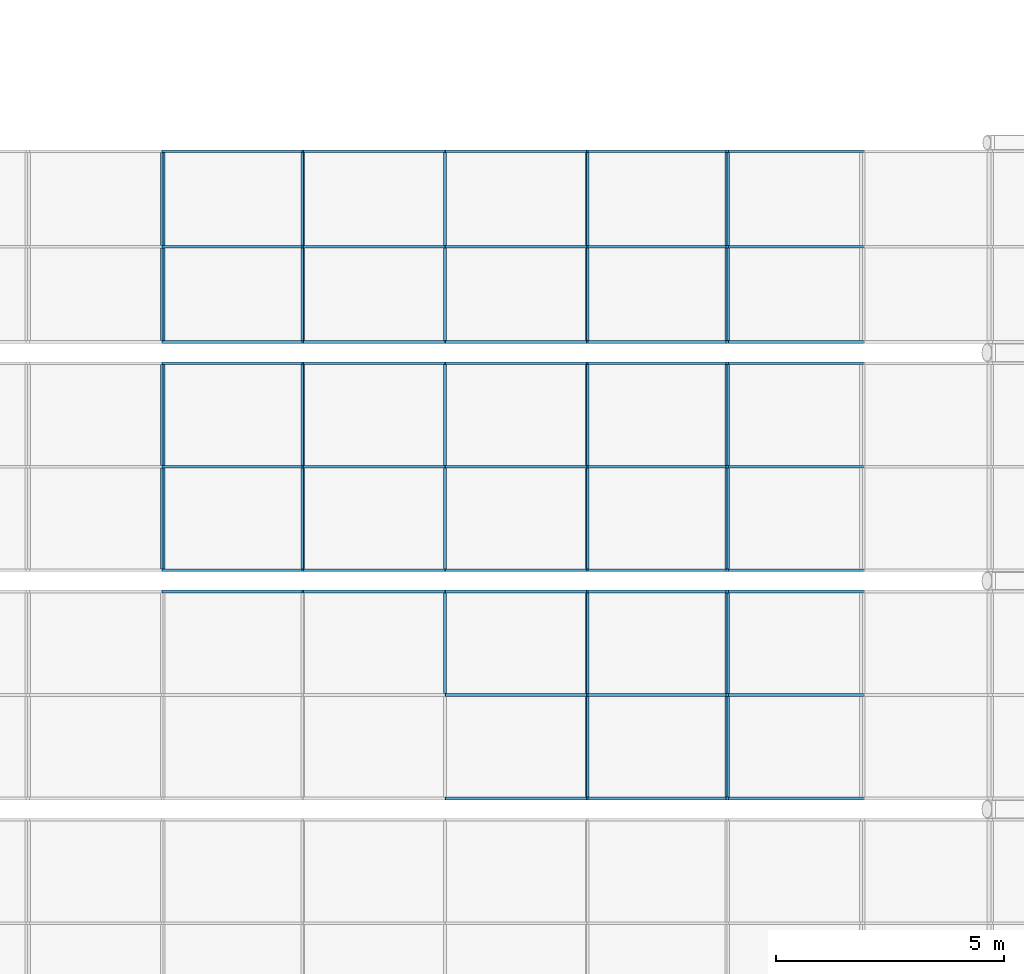
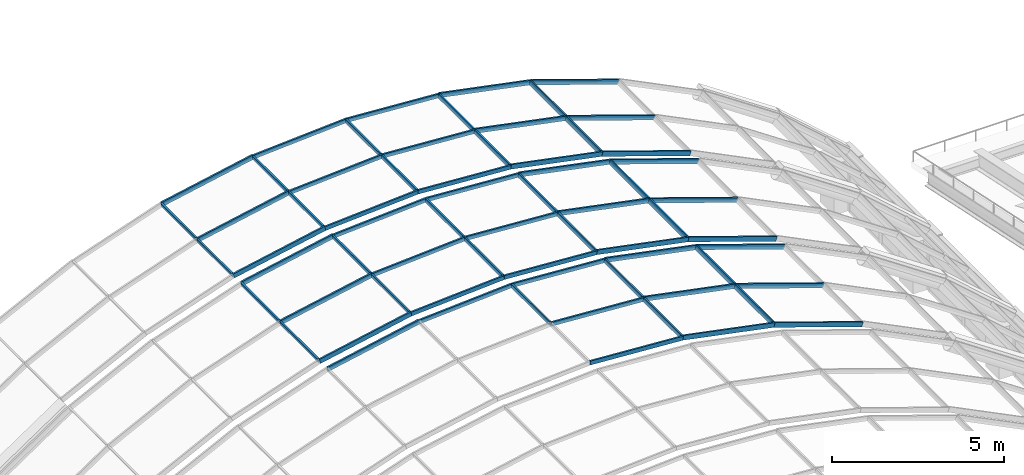
# One storey, part 83 of 182: 66 members, 3 elements without a shape of their own.
"""IFC4 building model written with IfcOpenShell, lengths in metres."""

from ifc_helpers import new_model, si_unit, direction, frame, origin, origin_2d, place, context, subcontext, project, spatial, rectangle, extrude, material, material_profile, profile_set, type_object, element, aggregate, save


model = new_model("IFC4")

# Units and contexts
model_context = context("Model", 3, precision=1e-05, world=origin(), true_north=direction((0.0, 1.0)))
body_context = subcontext(model_context, "Body", "Model", "MODEL_VIEW")
ifc_project = project(units=[si_unit("LENGTHUNIT", "METRE"), si_unit("AREAUNIT", "SQUARE_METRE"), si_unit("VOLUMEUNIT", "CUBIC_METRE"), si_unit("PLANEANGLEUNIT", "RADIAN"), si_unit("MASSUNIT", "GRAM", prefix="KILO")], contexts=[model_context])

# Site, building, storey
site_placement = place(None, origin())
site = spatial("IfcSite", under=ifc_project, at=site_placement, CompositionType="ELEMENT")
building_placement = place(site_placement, origin())
building = spatial("IfcBuilding", under=site, at=building_placement, Name="Okhra Congress Centre", CompositionType="ELEMENT")
storey_placement = place(building_placement, frame((0.0, 0.0, 7.199951171875)))
storey = spatial("IfcBuildingStorey", under=building, at=storey_placement, Name="L01", CompositionType="ELEMENT", Elevation=7.199951171875)

# Curtain wall, members
ifc_material_1 = material(Name="Aluminium frame with triple glazing", Category="aluminium")
curtain_wall_type = type_object("IfcCurtainWallType", Name="Glazed vault bay curtain wall", PredefinedType="NOTDEFINED", material=ifc_material_1)
curtain_wall_1_placement = place(storey_placement, origin())
curtain_wall_1 = element("IfcCurtainWall", 1, at=curtain_wall_1_placement, inside=storey, type_object=curtain_wall_type, Name="Vault glazing bay 26", PredefinedType="NOTDEFINED")
ifc_material_2 = material(Name="Aluminium alloy 6063", Category="aluminium")
ifc_material_profile_1 = material_profile(ifc_material_2, rectangle(XDim=0.06005859375, YDim=0.139892578125, at=origin_2d()), Name="AL 60x140")
ifc_profile_set_1 = profile_set([ifc_material_profile_1], Name="Aluminium alloy 6063")
member_type_1 = type_object("IfcMemberType", Name="Aluminium mullion 60x140", PredefinedType="MULLION", material=ifc_profile_set_1)
member_1_placement = place(storey_placement, frame((172.25, 201.233154296875, 8.945068359375), z_axis=(0.997826129775, 0.0, -0.065901553385), x_axis=(0.0, 1.0, 0.0)))
member_1 = element("IfcMember", 2, at=member_1_placement, type_object=member_type_1, Name="Vault mullion 26.1.7", PredefinedType="MULLION", context=body_context, shape_type="SweptSolid", body=[
    extrude(rectangle(XDim=0.06005859375, YDim=0.139892578125, at=origin_2d()), origin(), (0.0, 0.0, 1.0), 3.123046875),
])
member_2_placement = place(storey_placement, frame((172.25, 203.5, 8.945068359375), z_axis=(0.997826129775, 0.0, -0.065901553385), x_axis=(0.0, 1.0, 0.0)))
member_2 = element("IfcMember", 3, at=member_2_placement, type_object=member_type_1, Name="Vault mullion 26.2.7", PredefinedType="MULLION", context=body_context, shape_type="SweptSolid", body=[
    extrude(rectangle(XDim=0.06005859375, YDim=0.139892578125, at=origin_2d()), origin(), (0.0, 0.0, 1.0), 3.123046875),
])
member_3_placement = place(storey_placement, frame((169.1337890625, 205.766845703125, 8.7392578125), z_axis=(0.997826129775, 0.0, 0.065901553385), x_axis=(0.0, 1.0, 0.0)))
member_3 = element("IfcMember", 4, at=member_3_placement, type_object=member_type_1, Name="Vault mullion 26.3.6", PredefinedType="MULLION", context=body_context, shape_type="SweptSolid", body=[
    extrude(rectangle(XDim=0.06005859375, YDim=0.139892578125, at=origin_2d()), origin(), (0.0, 0.0, 1.0), 3.123046875),
])
member_4_placement = place(storey_placement, frame((172.25, 205.766845703125, 8.945068359375), z_axis=(0.997826129775, 0.0, -0.065901553385), x_axis=(0.0, 1.0, 0.0)))
member_4 = element("IfcMember", 5, at=member_4_placement, type_object=member_type_1, Name="Vault mullion 26.3.7", PredefinedType="MULLION", context=body_context, shape_type="SweptSolid", body=[
    extrude(rectangle(XDim=0.06005859375, YDim=0.139892578125, at=origin_2d()), origin(), (0.0, 0.0, 1.0), 3.123046875),
])

curtain_wall_2_placement = place(storey_placement, origin())
curtain_wall_2 = element("IfcCurtainWall", 6, at=curtain_wall_2_placement, inside=storey, type_object=curtain_wall_type, Name="Vault glazing bay 27", PredefinedType="NOTDEFINED")
member_5_placement = place(storey_placement, frame((169.1337890625, 206.233154296875, 8.7392578125), z_axis=(0.997826129775, 0.0, 0.065901553385), x_axis=(0.0, 1.0, 0.0)))
member_5 = element("IfcMember", 7, at=member_5_placement, type_object=member_type_1, Name="Vault mullion 27.1.6", PredefinedType="MULLION", context=body_context, shape_type="SweptSolid", body=[
    extrude(rectangle(XDim=0.06005859375, YDim=0.139892578125, at=origin_2d()), origin(), (0.0, 0.0, 1.0), 3.123046875),
])
member_6_placement = place(storey_placement, frame((172.25, 206.233154296875, 8.945068359375), z_axis=(0.997826129775, 0.0, -0.065901553385), x_axis=(0.0, 1.0, 0.0)))
member_6 = element("IfcMember", 8, at=member_6_placement, type_object=member_type_1, Name="Vault mullion 27.1.7", PredefinedType="MULLION", context=body_context, shape_type="SweptSolid", body=[
    extrude(rectangle(XDim=0.06005859375, YDim=0.139892578125, at=origin_2d()), origin(), (0.0, 0.0, 1.0), 3.123046875),
])
member_7_placement = place(storey_placement, frame((169.1337890625, 208.5, 8.7392578125), z_axis=(0.997826129775, 0.0, 0.065901553385), x_axis=(0.0, 1.0, 0.0)))
member_7 = element("IfcMember", 9, at=member_7_placement, type_object=member_type_1, Name="Vault mullion 27.2.6", PredefinedType="MULLION", context=body_context, shape_type="SweptSolid", body=[
    extrude(rectangle(XDim=0.06005859375, YDim=0.139892578125, at=origin_2d()), origin(), (0.0, 0.0, 1.0), 3.123046875),
])
member_8_placement = place(storey_placement, frame((172.25, 208.5, 8.945068359375), z_axis=(0.997826129775, 0.0, -0.065901553385), x_axis=(0.0, 1.0, 0.0)))
member_8 = element("IfcMember", 10, at=member_8_placement, type_object=member_type_1, Name="Vault mullion 27.2.7", PredefinedType="MULLION", context=body_context, shape_type="SweptSolid", body=[
    extrude(rectangle(XDim=0.06005859375, YDim=0.139892578125, at=origin_2d()), origin(), (0.0, 0.0, 1.0), 3.123046875),
])
member_9_placement = place(storey_placement, frame((169.1337890625, 210.766845703125, 8.7392578125), z_axis=(0.997826129775, 0.0, 0.065901553385), x_axis=(0.0, 1.0, 0.0)))
member_9 = element("IfcMember", 11, at=member_9_placement, type_object=member_type_1, Name="Vault mullion 27.3.6", PredefinedType="MULLION", context=body_context, shape_type="SweptSolid", body=[
    extrude(rectangle(XDim=0.06005859375, YDim=0.139892578125, at=origin_2d()), origin(), (0.0, 0.0, 1.0), 3.123046875),
])
member_10_placement = place(storey_placement, frame((172.25, 210.766845703125, 8.945068359375), z_axis=(0.997826129775, 0.0, -0.065901553385), x_axis=(0.0, 1.0, 0.0)))
member_10 = element("IfcMember", 12, at=member_10_placement, type_object=member_type_1, Name="Vault mullion 27.3.7", PredefinedType="MULLION", context=body_context, shape_type="SweptSolid", body=[
    extrude(rectangle(XDim=0.06005859375, YDim=0.139892578125, at=origin_2d()), origin(), (0.0, 0.0, 1.0), 3.123046875),
])

curtain_wall_3_placement = place(storey_placement, origin())
curtain_wall_3 = element("IfcCurtainWall", 13, at=curtain_wall_3_placement, inside=storey, type_object=curtain_wall_type, Name="Vault glazing bay 28", PredefinedType="NOTDEFINED")
member_11_placement = place(storey_placement, frame((169.1337890625, 211.233154296875, 8.7392578125), z_axis=(0.997826129775, 0.0, 0.065901553385), x_axis=(0.0, 1.0, 0.0)))
member_11 = element("IfcMember", 14, at=member_11_placement, type_object=member_type_1, Name="Vault mullion 28.1.6", PredefinedType="MULLION", context=body_context, shape_type="SweptSolid", body=[
    extrude(rectangle(XDim=0.06005859375, YDim=0.139892578125, at=origin_2d()), origin(), (0.0, 0.0, 1.0), 3.123046875),
])
member_12_placement = place(storey_placement, frame((172.25, 211.233154296875, 8.945068359375), z_axis=(0.997826129775, 0.0, -0.065901553385), x_axis=(0.0, 1.0, 0.0)))
member_12 = element("IfcMember", 15, at=member_12_placement, type_object=member_type_1, Name="Vault mullion 28.1.7", PredefinedType="MULLION", context=body_context, shape_type="SweptSolid", body=[
    extrude(rectangle(XDim=0.06005859375, YDim=0.139892578125, at=origin_2d()), origin(), (0.0, 0.0, 1.0), 3.123046875),
])
member_13_placement = place(storey_placement, frame((169.1337890625, 213.320556640625, 8.7392578125), z_axis=(0.997826129775, 0.0, 0.065901553385), x_axis=(0.0, 1.0, 0.0)))
member_13 = element("IfcMember", 16, at=member_13_placement, type_object=member_type_1, Name="Vault mullion 28.2.6", PredefinedType="MULLION", context=body_context, shape_type="SweptSolid", body=[
    extrude(rectangle(XDim=0.06005859375, YDim=0.139892578125, at=origin_2d()), origin(), (0.0, 0.0, 1.0), 3.123046875),
])
member_14_placement = place(storey_placement, frame((172.25, 213.320556640625, 8.945068359375), z_axis=(0.997826129775, 0.0, -0.065901553385), x_axis=(0.0, 1.0, 0.0)))
member_14 = element("IfcMember", 17, at=member_14_placement, type_object=member_type_1, Name="Vault mullion 28.2.7", PredefinedType="MULLION", context=body_context, shape_type="SweptSolid", body=[
    extrude(rectangle(XDim=0.06005859375, YDim=0.139892578125, at=origin_2d()), origin(), (0.0, 0.0, 1.0), 3.123046875),
])
member_15_placement = place(storey_placement, frame((169.1337890625, 215.407958984375, 8.7392578125), z_axis=(0.997826129775, 0.0, 0.065901553385), x_axis=(0.0, 1.0, 0.0)))
member_15 = element("IfcMember", 18, at=member_15_placement, type_object=member_type_1, Name="Vault mullion 28.3.6", PredefinedType="MULLION", context=body_context, shape_type="SweptSolid", body=[
    extrude(rectangle(XDim=0.06005859375, YDim=0.139892578125, at=origin_2d()), origin(), (0.0, 0.0, 1.0), 3.123046875),
])
member_16_placement = place(storey_placement, frame((172.25, 215.407958984375, 8.945068359375), z_axis=(0.997826129775, 0.0, -0.065901553385), x_axis=(0.0, 1.0, 0.0)))
member_16 = element("IfcMember", 19, at=member_16_placement, type_object=member_type_1, Name="Vault mullion 28.3.7", PredefinedType="MULLION", context=body_context, shape_type="SweptSolid", body=[
    extrude(rectangle(XDim=0.06005859375, YDim=0.139892578125, at=origin_2d()), origin(), (0.0, 0.0, 1.0), 3.123046875),
])

# Member
ifc_material_profile_2 = material_profile(ifc_material_2, rectangle(XDim=0.06005859375, YDim=0.159912109375, at=origin_2d()), Name="AL 60x160")
ifc_profile_set_2 = profile_set([ifc_material_profile_2], Name="Aluminium alloy 6063")
member_type_2 = type_object("IfcMemberType", Name="Aluminium mullion 60x160", PredefinedType="MULLION", material=ifc_profile_set_2)
member_17_placement = place(storey_placement, frame((175.367431640625, 201.233154296875, 8.7490234375), z_axis=(0.980484387086, 0.0, -0.196596965087), x_axis=(0.0, 1.0, 0.0)))
member_17 = element("IfcMember", 20, at=member_17_placement, type_object=member_type_2, Name="Vault mullion 26.1.8", PredefinedType="MULLION", context=body_context, shape_type="SweptSolid", body=[
    extrude(rectangle(XDim=0.06005859375, YDim=0.159912109375, at=origin_2d()), origin(), (0.0, 0.0, 1.0), 3.12451171875),
])

member_18_placement = place(storey_placement, frame((178.430908203125, 201.233154296875, 8.134765625), z_axis=(0.946065064306, 0.0, -0.323976687587), x_axis=(0.0, 1.0, 0.0)))
member_18 = element("IfcMember", 21, at=member_18_placement, type_object=member_type_2, Name="Vault mullion 26.1.9", PredefinedType="MULLION", context=body_context, shape_type="SweptSolid", body=[
    extrude(rectangle(XDim=0.06005859375, YDim=0.159912109375, at=origin_2d()), origin(), (0.0, 0.0, 1.0), 3.124267578125),
])

member_19_placement = place(storey_placement, frame((175.367431640625, 203.5, 8.7490234375), z_axis=(0.980484387086, 0.0, -0.196596965087), x_axis=(0.0, 1.0, 0.0)))
member_19 = element("IfcMember", 22, at=member_19_placement, type_object=member_type_2, Name="Vault mullion 26.2.8", PredefinedType="MULLION", context=body_context, shape_type="SweptSolid", body=[
    extrude(rectangle(XDim=0.06005859375, YDim=0.159912109375, at=origin_2d()), origin(), (0.0, 0.0, 1.0), 3.12451171875),
])

member_20_placement = place(storey_placement, frame((178.430908203125, 203.5, 8.134765625), z_axis=(0.946065064306, 0.0, -0.323976687587), x_axis=(0.0, 1.0, 0.0)))
member_20 = element("IfcMember", 23, at=member_20_placement, type_object=member_type_2, Name="Vault mullion 26.2.9", PredefinedType="MULLION", context=body_context, shape_type="SweptSolid", body=[
    extrude(rectangle(XDim=0.06005859375, YDim=0.159912109375, at=origin_2d()), origin(), (0.0, 0.0, 1.0), 3.124267578125),
])

member_21_placement = place(storey_placement, frame((166.069091796875, 205.766845703125, 8.134765625), z_axis=(0.980484387086, 0.0, 0.196596965087), x_axis=(0.0, 1.0, 0.0)))
member_21 = element("IfcMember", 24, at=member_21_placement, type_object=member_type_2, Name="Vault mullion 26.3.5", PredefinedType="MULLION", context=body_context, shape_type="SweptSolid", body=[
    extrude(rectangle(XDim=0.06005859375, YDim=0.159912109375, at=origin_2d()), origin(), (0.0, 0.0, 1.0), 3.12451171875),
])

member_22_placement = place(storey_placement, frame((175.367431640625, 205.766845703125, 8.7490234375), z_axis=(0.980484387086, 0.0, -0.196596965087), x_axis=(0.0, 1.0, 0.0)))
member_22 = element("IfcMember", 25, at=member_22_placement, type_object=member_type_2, Name="Vault mullion 26.3.8", PredefinedType="MULLION", context=body_context, shape_type="SweptSolid", body=[
    extrude(rectangle(XDim=0.06005859375, YDim=0.159912109375, at=origin_2d()), origin(), (0.0, 0.0, 1.0), 3.12451171875),
])

member_23_placement = place(storey_placement, frame((178.430908203125, 205.766845703125, 8.134765625), z_axis=(0.946065064306, 0.0, -0.323976687587), x_axis=(0.0, 1.0, 0.0)))
member_23 = element("IfcMember", 26, at=member_23_placement, type_object=member_type_2, Name="Vault mullion 26.3.9", PredefinedType="MULLION", context=body_context, shape_type="SweptSolid", body=[
    extrude(rectangle(XDim=0.06005859375, YDim=0.159912109375, at=origin_2d()), origin(), (0.0, 0.0, 1.0), 3.124267578125),
])

member_24_placement = place(storey_placement, frame((166.069091796875, 206.233154296875, 8.134765625), z_axis=(0.980484387086, 0.0, 0.196596965087), x_axis=(0.0, 1.0, 0.0)))
member_24 = element("IfcMember", 27, at=member_24_placement, type_object=member_type_2, Name="Vault mullion 27.1.5", PredefinedType="MULLION", context=body_context, shape_type="SweptSolid", body=[
    extrude(rectangle(XDim=0.06005859375, YDim=0.159912109375, at=origin_2d()), origin(), (0.0, 0.0, 1.0), 3.12451171875),
])

member_25_placement = place(storey_placement, frame((175.367431640625, 206.233154296875, 8.7490234375), z_axis=(0.980484387086, 0.0, -0.196596965087), x_axis=(0.0, 1.0, 0.0)))
member_25 = element("IfcMember", 28, at=member_25_placement, type_object=member_type_2, Name="Vault mullion 27.1.8", PredefinedType="MULLION", context=body_context, shape_type="SweptSolid", body=[
    extrude(rectangle(XDim=0.06005859375, YDim=0.159912109375, at=origin_2d()), origin(), (0.0, 0.0, 1.0), 3.12451171875),
])

member_26_placement = place(storey_placement, frame((178.430908203125, 206.233154296875, 8.134765625), z_axis=(0.946065064306, 0.0, -0.323976687587), x_axis=(0.0, 1.0, 0.0)))
member_26 = element("IfcMember", 29, at=member_26_placement, type_object=member_type_2, Name="Vault mullion 27.1.9", PredefinedType="MULLION", context=body_context, shape_type="SweptSolid", body=[
    extrude(rectangle(XDim=0.06005859375, YDim=0.159912109375, at=origin_2d()), origin(), (0.0, 0.0, 1.0), 3.124267578125),
])

member_27_placement = place(storey_placement, frame((166.069091796875, 208.5, 8.134765625), z_axis=(0.980484387086, 0.0, 0.196596965087), x_axis=(0.0, 1.0, 0.0)))
member_27 = element("IfcMember", 30, at=member_27_placement, type_object=member_type_2, Name="Vault mullion 27.2.5", PredefinedType="MULLION", context=body_context, shape_type="SweptSolid", body=[
    extrude(rectangle(XDim=0.06005859375, YDim=0.159912109375, at=origin_2d()), origin(), (0.0, 0.0, 1.0), 3.12451171875),
])

member_28_placement = place(storey_placement, frame((175.367431640625, 208.5, 8.7490234375), z_axis=(0.980484387086, 0.0, -0.196596965087), x_axis=(0.0, 1.0, 0.0)))
member_28 = element("IfcMember", 31, at=member_28_placement, type_object=member_type_2, Name="Vault mullion 27.2.8", PredefinedType="MULLION", context=body_context, shape_type="SweptSolid", body=[
    extrude(rectangle(XDim=0.06005859375, YDim=0.159912109375, at=origin_2d()), origin(), (0.0, 0.0, 1.0), 3.12451171875),
])

member_29_placement = place(storey_placement, frame((178.430908203125, 208.5, 8.134765625), z_axis=(0.946065064306, 0.0, -0.323976687587), x_axis=(0.0, 1.0, 0.0)))
member_29 = element("IfcMember", 32, at=member_29_placement, type_object=member_type_2, Name="Vault mullion 27.2.9", PredefinedType="MULLION", context=body_context, shape_type="SweptSolid", body=[
    extrude(rectangle(XDim=0.06005859375, YDim=0.159912109375, at=origin_2d()), origin(), (0.0, 0.0, 1.0), 3.124267578125),
])

member_30_placement = place(storey_placement, frame((166.069091796875, 210.766845703125, 8.134765625), z_axis=(0.980484387086, 0.0, 0.196596965087), x_axis=(0.0, 1.0, 0.0)))
member_30 = element("IfcMember", 33, at=member_30_placement, type_object=member_type_2, Name="Vault mullion 27.3.5", PredefinedType="MULLION", context=body_context, shape_type="SweptSolid", body=[
    extrude(rectangle(XDim=0.06005859375, YDim=0.159912109375, at=origin_2d()), origin(), (0.0, 0.0, 1.0), 3.12451171875),
])

member_31_placement = place(storey_placement, frame((175.367431640625, 210.766845703125, 8.7490234375), z_axis=(0.980484387086, 0.0, -0.196596965087), x_axis=(0.0, 1.0, 0.0)))
member_31 = element("IfcMember", 34, at=member_31_placement, type_object=member_type_2, Name="Vault mullion 27.3.8", PredefinedType="MULLION", context=body_context, shape_type="SweptSolid", body=[
    extrude(rectangle(XDim=0.06005859375, YDim=0.159912109375, at=origin_2d()), origin(), (0.0, 0.0, 1.0), 3.12451171875),
])

member_32_placement = place(storey_placement, frame((178.430908203125, 210.766845703125, 8.134765625), z_axis=(0.946065064306, 0.0, -0.323976687587), x_axis=(0.0, 1.0, 0.0)))
member_32 = element("IfcMember", 35, at=member_32_placement, type_object=member_type_2, Name="Vault mullion 27.3.9", PredefinedType="MULLION", context=body_context, shape_type="SweptSolid", body=[
    extrude(rectangle(XDim=0.06005859375, YDim=0.159912109375, at=origin_2d()), origin(), (0.0, 0.0, 1.0), 3.124267578125),
])

member_33_placement = place(storey_placement, frame((166.069091796875, 211.233154296875, 8.134765625), z_axis=(0.980484387086, 0.0, 0.196596965087), x_axis=(0.0, 1.0, 0.0)))
member_33 = element("IfcMember", 36, at=member_33_placement, type_object=member_type_2, Name="Vault mullion 28.1.5", PredefinedType="MULLION", context=body_context, shape_type="SweptSolid", body=[
    extrude(rectangle(XDim=0.06005859375, YDim=0.159912109375, at=origin_2d()), origin(), (0.0, 0.0, 1.0), 3.12451171875),
])

member_34_placement = place(storey_placement, frame((175.367431640625, 211.233154296875, 8.7490234375), z_axis=(0.980484387086, 0.0, -0.196596965087), x_axis=(0.0, 1.0, 0.0)))
member_34 = element("IfcMember", 37, at=member_34_placement, type_object=member_type_2, Name="Vault mullion 28.1.8", PredefinedType="MULLION", context=body_context, shape_type="SweptSolid", body=[
    extrude(rectangle(XDim=0.06005859375, YDim=0.159912109375, at=origin_2d()), origin(), (0.0, 0.0, 1.0), 3.12451171875),
])

member_35_placement = place(storey_placement, frame((178.430908203125, 211.233154296875, 8.134765625), z_axis=(0.946065064306, 0.0, -0.323976687587), x_axis=(0.0, 1.0, 0.0)))
member_35 = element("IfcMember", 38, at=member_35_placement, type_object=member_type_2, Name="Vault mullion 28.1.9", PredefinedType="MULLION", context=body_context, shape_type="SweptSolid", body=[
    extrude(rectangle(XDim=0.06005859375, YDim=0.159912109375, at=origin_2d()), origin(), (0.0, 0.0, 1.0), 3.124267578125),
])

member_36_placement = place(storey_placement, frame((166.069091796875, 213.320556640625, 8.134765625), z_axis=(0.980484387086, 0.0, 0.196596965087), x_axis=(0.0, 1.0, 0.0)))
member_36 = element("IfcMember", 39, at=member_36_placement, type_object=member_type_2, Name="Vault mullion 28.2.5", PredefinedType="MULLION", context=body_context, shape_type="SweptSolid", body=[
    extrude(rectangle(XDim=0.06005859375, YDim=0.159912109375, at=origin_2d()), origin(), (0.0, 0.0, 1.0), 3.12451171875),
])

member_37_placement = place(storey_placement, frame((175.367431640625, 213.320556640625, 8.7490234375), z_axis=(0.980484387086, 0.0, -0.196596965087), x_axis=(0.0, 1.0, 0.0)))
member_37 = element("IfcMember", 40, at=member_37_placement, type_object=member_type_2, Name="Vault mullion 28.2.8", PredefinedType="MULLION", context=body_context, shape_type="SweptSolid", body=[
    extrude(rectangle(XDim=0.06005859375, YDim=0.159912109375, at=origin_2d()), origin(), (0.0, 0.0, 1.0), 3.12451171875),
])

member_38_placement = place(storey_placement, frame((178.430908203125, 213.320556640625, 8.134765625), z_axis=(0.946065064306, 0.0, -0.323976687587), x_axis=(0.0, 1.0, 0.0)))
member_38 = element("IfcMember", 41, at=member_38_placement, type_object=member_type_2, Name="Vault mullion 28.2.9", PredefinedType="MULLION", context=body_context, shape_type="SweptSolid", body=[
    extrude(rectangle(XDim=0.06005859375, YDim=0.159912109375, at=origin_2d()), origin(), (0.0, 0.0, 1.0), 3.124267578125),
])

member_39_placement = place(storey_placement, frame((166.069091796875, 215.407958984375, 8.134765625), z_axis=(0.980484387086, 0.0, 0.196596965087), x_axis=(0.0, 1.0, 0.0)))
member_39 = element("IfcMember", 42, at=member_39_placement, type_object=member_type_2, Name="Vault mullion 28.3.5", PredefinedType="MULLION", context=body_context, shape_type="SweptSolid", body=[
    extrude(rectangle(XDim=0.06005859375, YDim=0.159912109375, at=origin_2d()), origin(), (0.0, 0.0, 1.0), 3.12451171875),
])

member_40_placement = place(storey_placement, frame((175.367431640625, 215.407958984375, 8.7490234375), z_axis=(0.980484387086, 0.0, -0.196596965087), x_axis=(0.0, 1.0, 0.0)))
member_40 = element("IfcMember", 43, at=member_40_placement, type_object=member_type_2, Name="Vault mullion 28.3.8", PredefinedType="MULLION", context=body_context, shape_type="SweptSolid", body=[
    extrude(rectangle(XDim=0.06005859375, YDim=0.159912109375, at=origin_2d()), origin(), (0.0, 0.0, 1.0), 3.12451171875),
])

member_41_placement = place(storey_placement, frame((178.430908203125, 215.407958984375, 8.134765625), z_axis=(0.946065064306, 0.0, -0.323976687587), x_axis=(0.0, 1.0, 0.0)))
member_41 = element("IfcMember", 44, at=member_41_placement, type_object=member_type_2, Name="Vault mullion 28.3.9", PredefinedType="MULLION", context=body_context, shape_type="SweptSolid", body=[
    extrude(rectangle(XDim=0.06005859375, YDim=0.159912109375, at=origin_2d()), origin(), (0.0, 0.0, 1.0), 3.124267578125),
])

ifc_material_profile_3 = material_profile(ifc_material_2, rectangle(XDim=0.06005859375, YDim=0.139892578125, at=origin_2d()), Name="AL 60x140 transom")
ifc_profile_set_3 = profile_set([ifc_material_profile_3], Name="Aluminium alloy 6063")
member_type_3 = type_object("IfcMemberType", Name="Aluminium transom 60x140", PredefinedType="USERDEFINED", material=ifc_profile_set_3)
member_42_placement = place(storey_placement, frame((175.3662109375, 201.26318359375, 8.7392578125), z_axis=(0.0, 1.0, 0.0), x_axis=(-0.991307202734, 0.0, 0.131567586459)))
member_42 = element("IfcMember", 45, at=member_42_placement, type_object=member_type_3, Name="Vault transom 26.1.8", ObjectType="TRANSOM", PredefinedType="USERDEFINED", context=body_context, shape_type="SweptSolid", body=[
    extrude(rectangle(XDim=0.06005859375, YDim=0.139892578125, at=origin_2d()), origin(), (0.0, 0.0, 1.0), 2.206787109375),
])

member_43_placement = place(storey_placement, frame((172.25, 203.530029296875, 8.945068359375), z_axis=(0.0, 1.0, 0.0), x_axis=(-1.0, 0.0, 0.0)))
member_43 = element("IfcMember", 46, at=member_43_placement, type_object=member_type_3, Name="Vault transom 26.2.7", ObjectType="TRANSOM", PredefinedType="USERDEFINED", context=body_context, shape_type="SweptSolid", body=[
    extrude(rectangle(XDim=0.06005859375, YDim=0.139892578125, at=origin_2d()), origin(), (0.0, 0.0, 1.0), 2.206787109375),
])

member_44_placement = place(storey_placement, frame((175.3662109375, 203.530029296875, 8.7392578125), z_axis=(0.0, 1.0, 0.0), x_axis=(-0.991307202734, 0.0, 0.131567586459)))
member_44 = element("IfcMember", 47, at=member_44_placement, type_object=member_type_3, Name="Vault transom 26.2.8", ObjectType="TRANSOM", PredefinedType="USERDEFINED", context=body_context, shape_type="SweptSolid", body=[
    extrude(rectangle(XDim=0.06005859375, YDim=0.139892578125, at=origin_2d()), origin(), (0.0, 0.0, 1.0), 2.206787109375),
])

member_45_placement = place(storey_placement, frame((169.1337890625, 206.26318359375, 8.7392578125), z_axis=(0.0, 1.0, 0.0), x_axis=(-0.991307202734, 0.0, -0.131567586459)))
member_45 = element("IfcMember", 48, at=member_45_placement, type_object=member_type_3, Name="Vault transom 27.1.6", ObjectType="TRANSOM", PredefinedType="USERDEFINED", context=body_context, shape_type="SweptSolid", body=[
    extrude(rectangle(XDim=0.06005859375, YDim=0.139892578125, at=origin_2d()), origin(), (0.0, 0.0, 1.0), 2.206787109375),
])

member_46_placement = place(storey_placement, frame((172.25, 206.26318359375, 8.945068359375), z_axis=(0.0, 1.0, 0.0), x_axis=(-1.0, 0.0, 0.0)))
member_46 = element("IfcMember", 49, at=member_46_placement, type_object=member_type_3, Name="Vault transom 27.1.7", ObjectType="TRANSOM", PredefinedType="USERDEFINED", context=body_context, shape_type="SweptSolid", body=[
    extrude(rectangle(XDim=0.06005859375, YDim=0.139892578125, at=origin_2d()), origin(), (0.0, 0.0, 1.0), 2.206787109375),
])

member_47_placement = place(storey_placement, frame((175.3662109375, 206.26318359375, 8.7392578125), z_axis=(0.0, 1.0, 0.0), x_axis=(-0.991307202734, 0.0, 0.131567586459)))
member_47 = element("IfcMember", 50, at=member_47_placement, type_object=member_type_3, Name="Vault transom 27.1.8", ObjectType="TRANSOM", PredefinedType="USERDEFINED", context=body_context, shape_type="SweptSolid", body=[
    extrude(rectangle(XDim=0.06005859375, YDim=0.139892578125, at=origin_2d()), origin(), (0.0, 0.0, 1.0), 2.206787109375),
])

member_48_placement = place(storey_placement, frame((169.1337890625, 208.530029296875, 8.7392578125), z_axis=(0.0, 1.0, 0.0), x_axis=(-0.991307202734, 0.0, -0.131567586459)))
member_48 = element("IfcMember", 51, at=member_48_placement, type_object=member_type_3, Name="Vault transom 27.2.6", ObjectType="TRANSOM", PredefinedType="USERDEFINED", context=body_context, shape_type="SweptSolid", body=[
    extrude(rectangle(XDim=0.06005859375, YDim=0.139892578125, at=origin_2d()), origin(), (0.0, 0.0, 1.0), 2.206787109375),
])

member_49_placement = place(storey_placement, frame((172.25, 208.530029296875, 8.945068359375), z_axis=(0.0, 1.0, 0.0), x_axis=(-1.0, 0.0, 0.0)))
member_49 = element("IfcMember", 52, at=member_49_placement, type_object=member_type_3, Name="Vault transom 27.2.7", ObjectType="TRANSOM", PredefinedType="USERDEFINED", context=body_context, shape_type="SweptSolid", body=[
    extrude(rectangle(XDim=0.06005859375, YDim=0.139892578125, at=origin_2d()), origin(), (0.0, 0.0, 1.0), 2.206787109375),
])

member_50_placement = place(storey_placement, frame((175.3662109375, 208.530029296875, 8.7392578125), z_axis=(0.0, 1.0, 0.0), x_axis=(-0.991307202734, 0.0, 0.131567586459)))
member_50 = element("IfcMember", 53, at=member_50_placement, type_object=member_type_3, Name="Vault transom 27.2.8", ObjectType="TRANSOM", PredefinedType="USERDEFINED", context=body_context, shape_type="SweptSolid", body=[
    extrude(rectangle(XDim=0.06005859375, YDim=0.139892578125, at=origin_2d()), origin(), (0.0, 0.0, 1.0), 2.206787109375),
])

member_51_placement = place(storey_placement, frame((169.1337890625, 211.26318359375, 8.7392578125), z_axis=(0.0, 1.0, 0.0), x_axis=(-0.991307202734, 0.0, -0.131567586459)))
member_51 = element("IfcMember", 54, at=member_51_placement, type_object=member_type_3, Name="Vault transom 28.1.6", ObjectType="TRANSOM", PredefinedType="USERDEFINED", context=body_context, shape_type="SweptSolid", body=[
    extrude(rectangle(XDim=0.06005859375, YDim=0.139892578125, at=origin_2d()), origin(), (0.0, 0.0, 1.0), 2.02734375),
])

member_52_placement = place(storey_placement, frame((172.25, 211.26318359375, 8.945068359375), z_axis=(0.0, 1.0, 0.0), x_axis=(-1.0, 0.0, 0.0)))
member_52 = element("IfcMember", 55, at=member_52_placement, type_object=member_type_3, Name="Vault transom 28.1.7", ObjectType="TRANSOM", PredefinedType="USERDEFINED", context=body_context, shape_type="SweptSolid", body=[
    extrude(rectangle(XDim=0.06005859375, YDim=0.139892578125, at=origin_2d()), origin(), (0.0, 0.0, 1.0), 2.02734375),
])

member_53_placement = place(storey_placement, frame((175.3662109375, 211.26318359375, 8.7392578125), z_axis=(0.0, 1.0, 0.0), x_axis=(-0.991307202734, 0.0, 0.131567586459)))
member_53 = element("IfcMember", 56, at=member_53_placement, type_object=member_type_3, Name="Vault transom 28.1.8", ObjectType="TRANSOM", PredefinedType="USERDEFINED", context=body_context, shape_type="SweptSolid", body=[
    extrude(rectangle(XDim=0.06005859375, YDim=0.139892578125, at=origin_2d()), origin(), (0.0, 0.0, 1.0), 2.02734375),
])

member_54_placement = place(storey_placement, frame((169.1337890625, 213.3505859375, 8.7392578125), z_axis=(0.0, 1.0, 0.0), x_axis=(-0.991307202734, 0.0, -0.131567586459)))
member_54 = element("IfcMember", 57, at=member_54_placement, type_object=member_type_3, Name="Vault transom 28.2.6", ObjectType="TRANSOM", PredefinedType="USERDEFINED", context=body_context, shape_type="SweptSolid", body=[
    extrude(rectangle(XDim=0.06005859375, YDim=0.139892578125, at=origin_2d()), origin(), (0.0, 0.0, 1.0), 2.02734375),
])

member_55_placement = place(storey_placement, frame((172.25, 213.3505859375, 8.945068359375), z_axis=(0.0, 1.0, 0.0), x_axis=(-1.0, 0.0, 0.0)))
member_55 = element("IfcMember", 58, at=member_55_placement, type_object=member_type_3, Name="Vault transom 28.2.7", ObjectType="TRANSOM", PredefinedType="USERDEFINED", context=body_context, shape_type="SweptSolid", body=[
    extrude(rectangle(XDim=0.06005859375, YDim=0.139892578125, at=origin_2d()), origin(), (0.0, 0.0, 1.0), 2.02734375),
])

member_56_placement = place(storey_placement, frame((175.3662109375, 213.3505859375, 8.7392578125), z_axis=(0.0, 1.0, 0.0), x_axis=(-0.991307202734, 0.0, 0.131567586459)))
member_56 = element("IfcMember", 59, at=member_56_placement, type_object=member_type_3, Name="Vault transom 28.2.8", ObjectType="TRANSOM", PredefinedType="USERDEFINED", context=body_context, shape_type="SweptSolid", body=[
    extrude(rectangle(XDim=0.06005859375, YDim=0.139892578125, at=origin_2d()), origin(), (0.0, 0.0, 1.0), 2.02734375),
])

ifc_material_profile_4 = material_profile(ifc_material_2, rectangle(XDim=0.06005859375, YDim=0.159912109375, at=origin_2d()), Name="AL 60x160 transom")
ifc_profile_set_4 = profile_set([ifc_material_profile_4], Name="Aluminium alloy 6063")
member_type_4 = type_object("IfcMemberType", Name="Aluminium transom 60x160", PredefinedType="USERDEFINED", material=ifc_profile_set_4)
member_57_placement = place(storey_placement, frame((178.430908203125, 201.26318359375, 8.134765625), z_axis=(0.0, 1.0, 0.0), x_axis=(-0.965379940391, 0.0, 0.260847792191)))
member_57 = element("IfcMember", 60, at=member_57_placement, type_object=member_type_4, Name="Vault transom 26.1.9", ObjectType="TRANSOM", PredefinedType="USERDEFINED", context=body_context, shape_type="SweptSolid", body=[
    extrude(rectangle(XDim=0.06005859375, YDim=0.159912109375, at=origin_2d()), origin(), (0.0, 0.0, 1.0), 2.206787109375),
])

member_58_placement = place(storey_placement, frame((178.430908203125, 203.530029296875, 8.134765625), z_axis=(0.0, 1.0, 0.0), x_axis=(-0.965379940391, 0.0, 0.260847792191)))
member_58 = element("IfcMember", 61, at=member_58_placement, type_object=member_type_4, Name="Vault transom 26.2.9", ObjectType="TRANSOM", PredefinedType="USERDEFINED", context=body_context, shape_type="SweptSolid", body=[
    extrude(rectangle(XDim=0.06005859375, YDim=0.159912109375, at=origin_2d()), origin(), (0.0, 0.0, 1.0), 2.206787109375),
])

aggregate(curtain_wall_1, [member_1, member_17, member_18, member_2, member_19, member_20, member_21, member_3, member_4, member_22, member_23, member_42, member_57, member_43, member_44, member_58])

member_59_placement = place(storey_placement, frame((166.069091796875, 206.26318359375, 8.134765625), z_axis=(0.0, 1.0, 0.0), x_axis=(-0.965379940391, 0.0, -0.260847792191)))
member_59 = element("IfcMember", 62, at=member_59_placement, type_object=member_type_4, Name="Vault transom 27.1.5", ObjectType="TRANSOM", PredefinedType="USERDEFINED", context=body_context, shape_type="SweptSolid", body=[
    extrude(rectangle(XDim=0.06005859375, YDim=0.159912109375, at=origin_2d()), origin(), (0.0, 0.0, 1.0), 2.206787109375),
])

member_60_placement = place(storey_placement, frame((178.430908203125, 206.26318359375, 8.134765625), z_axis=(0.0, 1.0, 0.0), x_axis=(-0.965379940391, 0.0, 0.260847792191)))
member_60 = element("IfcMember", 63, at=member_60_placement, type_object=member_type_4, Name="Vault transom 27.1.9", ObjectType="TRANSOM", PredefinedType="USERDEFINED", context=body_context, shape_type="SweptSolid", body=[
    extrude(rectangle(XDim=0.06005859375, YDim=0.159912109375, at=origin_2d()), origin(), (0.0, 0.0, 1.0), 2.206787109375),
])

member_61_placement = place(storey_placement, frame((166.069091796875, 208.530029296875, 8.134765625), z_axis=(0.0, 1.0, 0.0), x_axis=(-0.965379940391, 0.0, -0.260847792191)))
member_61 = element("IfcMember", 64, at=member_61_placement, type_object=member_type_4, Name="Vault transom 27.2.5", ObjectType="TRANSOM", PredefinedType="USERDEFINED", context=body_context, shape_type="SweptSolid", body=[
    extrude(rectangle(XDim=0.06005859375, YDim=0.159912109375, at=origin_2d()), origin(), (0.0, 0.0, 1.0), 2.206787109375),
])

member_62_placement = place(storey_placement, frame((178.430908203125, 208.530029296875, 8.134765625), z_axis=(0.0, 1.0, 0.0), x_axis=(-0.965379940391, 0.0, 0.260847792191)))
member_62 = element("IfcMember", 65, at=member_62_placement, type_object=member_type_4, Name="Vault transom 27.2.9", ObjectType="TRANSOM", PredefinedType="USERDEFINED", context=body_context, shape_type="SweptSolid", body=[
    extrude(rectangle(XDim=0.06005859375, YDim=0.159912109375, at=origin_2d()), origin(), (0.0, 0.0, 1.0), 2.206787109375),
])

aggregate(curtain_wall_2, [member_24, member_5, member_6, member_25, member_26, member_27, member_7, member_8, member_28, member_29, member_30, member_9, member_10, member_31, member_32, member_59, member_45, member_46, member_47, member_60, member_61, member_48, member_49, member_50, member_62])

member_63_placement = place(storey_placement, frame((166.069091796875, 211.26318359375, 8.134765625), z_axis=(0.0, 1.0, 0.0), x_axis=(-0.965379940391, 0.0, -0.260847792191)))
member_63 = element("IfcMember", 66, at=member_63_placement, type_object=member_type_4, Name="Vault transom 28.1.5", ObjectType="TRANSOM", PredefinedType="USERDEFINED", context=body_context, shape_type="SweptSolid", body=[
    extrude(rectangle(XDim=0.06005859375, YDim=0.159912109375, at=origin_2d()), origin(), (0.0, 0.0, 1.0), 2.02734375),
])

member_64_placement = place(storey_placement, frame((178.430908203125, 211.26318359375, 8.134765625), z_axis=(0.0, 1.0, 0.0), x_axis=(-0.965379940391, 0.0, 0.260847792191)))
member_64 = element("IfcMember", 67, at=member_64_placement, type_object=member_type_4, Name="Vault transom 28.1.9", ObjectType="TRANSOM", PredefinedType="USERDEFINED", context=body_context, shape_type="SweptSolid", body=[
    extrude(rectangle(XDim=0.06005859375, YDim=0.159912109375, at=origin_2d()), origin(), (0.0, 0.0, 1.0), 2.02734375),
])

member_65_placement = place(storey_placement, frame((166.069091796875, 213.3505859375, 8.134765625), z_axis=(0.0, 1.0, 0.0), x_axis=(-0.965379940391, 0.0, -0.260847792191)))
member_65 = element("IfcMember", 68, at=member_65_placement, type_object=member_type_4, Name="Vault transom 28.2.5", ObjectType="TRANSOM", PredefinedType="USERDEFINED", context=body_context, shape_type="SweptSolid", body=[
    extrude(rectangle(XDim=0.06005859375, YDim=0.159912109375, at=origin_2d()), origin(), (0.0, 0.0, 1.0), 2.02734375),
])

member_66_placement = place(storey_placement, frame((178.430908203125, 213.3505859375, 8.134765625), z_axis=(0.0, 1.0, 0.0), x_axis=(-0.965379940391, 0.0, 0.260847792191)))
member_66 = element("IfcMember", 69, at=member_66_placement, type_object=member_type_4, Name="Vault transom 28.2.9", ObjectType="TRANSOM", PredefinedType="USERDEFINED", context=body_context, shape_type="SweptSolid", body=[
    extrude(rectangle(XDim=0.06005859375, YDim=0.159912109375, at=origin_2d()), origin(), (0.0, 0.0, 1.0), 2.02734375),
])

aggregate(curtain_wall_3, [member_33, member_11, member_12, member_34, member_35, member_36, member_13, member_14, member_37, member_38, member_39, member_15, member_16, member_40, member_41, member_63, member_51, member_52, member_53, member_64, member_65, member_54, member_55, member_56, member_66])

save(model, "model.ifc")
